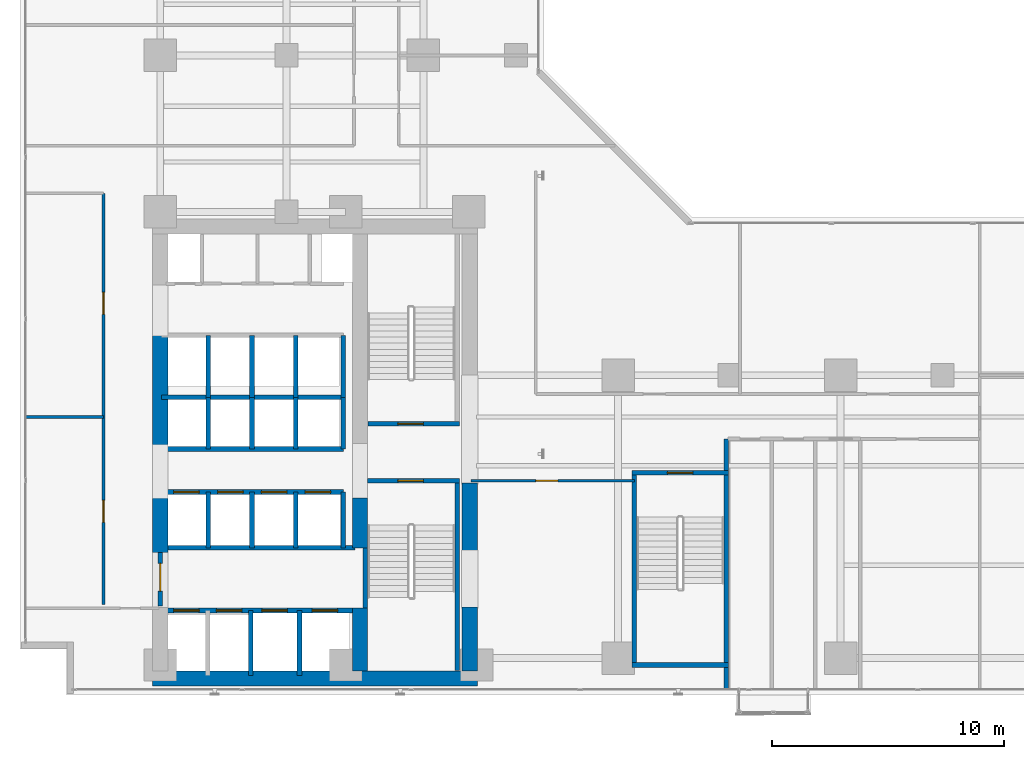
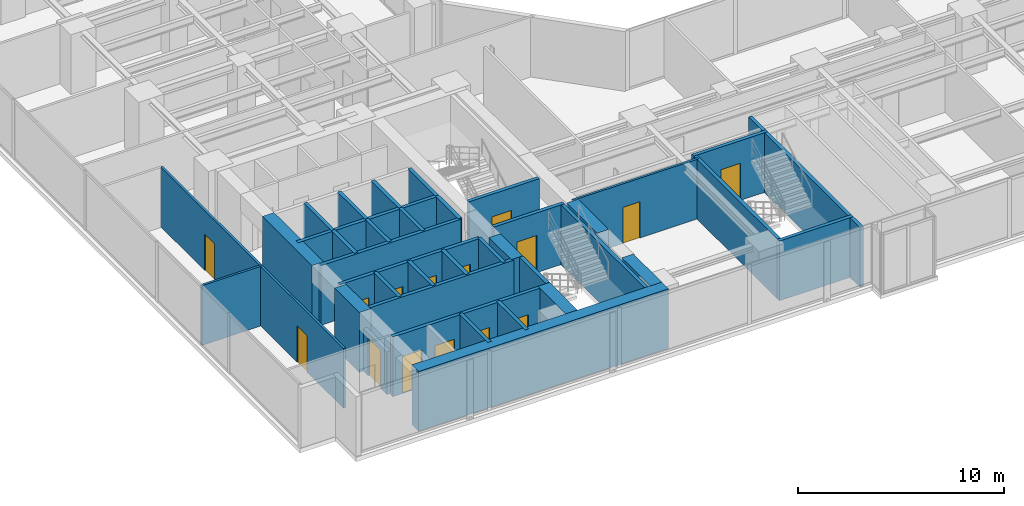
# One storey, part 21 of 26: 38 walls, 15 doors, 15 openings.
"""IFC4 building model written with IfcOpenShell, lengths in metres."""

from ifc_helpers import new_model, si_unit, direction, frame, frame_2d, origin, place, context, subcontext, project, spatial, rectangle, extrude, material, layer, layer_set, type_object, element, fill, save


model = new_model("IFC4")

# Units and contexts
model_context = context("Model", 3, precision=1e-05, world=origin(), true_north=direction((0.0, 1.0)))
body_context = subcontext(model_context, "Body", "Model", "MODEL_VIEW")
ifc_project = project(units=[si_unit("LENGTHUNIT", "METRE"), si_unit("AREAUNIT", "SQUARE_METRE"), si_unit("VOLUMEUNIT", "CUBIC_METRE"), si_unit("PLANEANGLEUNIT", "RADIAN"), si_unit("MASSUNIT", "GRAM", prefix="KILO")], contexts=[model_context])

# Site, building, storey
site_placement = place(None, origin())
site = spatial("IfcSite", under=ifc_project, at=site_placement, CompositionType="ELEMENT")
building_placement = place(site_placement, origin())
building = spatial("IfcBuilding", under=site, at=building_placement, Name="Kolvaren Waterfront Exchange", CompositionType="ELEMENT")
storey_placement = place(building_placement, frame((0.0, 0.0, 99.300048828125)))
storey = spatial("IfcBuildingStorey", under=building, at=storey_placement, Name="L25", CompositionType="ELEMENT", Elevation=99.300048828125)

# Wall, opening, door
ifc_material_1 = material(Name="Precast concrete C40/50", Category="concrete")
ifc_layer_1 = layer(ifc_material_1, 0.199951171875, Name="Precast concrete C40/50")
ifc_layer_set_1 = layer_set([ifc_layer_1], Name="Precast concrete C40/50")
wall_type_1 = type_object("IfcWallType", Name="ARC-FIRE-200", PredefinedType="PARTITIONING", material=ifc_layer_set_1)
wall_1_placement = place(storey_placement, frame((16.39990234375, 12.85009765625, 0.0), z_axis=(0.0, 0.0, 1.0), x_axis=(1.0, 0.0, 0.0)))
wall_1 = element("IfcWall", 1, at=wall_1_placement, inside=storey, type_object=wall_type_1, Name="L25 interior wall PW-L25-ST1-THROAT-S", PredefinedType="PARTITIONING", context=body_context, shape_type="SweptSolid", body=[
    extrude(rectangle(XDim=3.960205078125, YDim=0.199951171875, at=frame_2d((1.97998046875, 0.0))), origin(), (0.0, 0.0, 1.0), 3.5400390625),
])
opening_1_placement = place(wall_1_placement, frame((1.3037109375, 0.0, 0.0)))
opening_1 = element("IfcOpeningElement", 2, at=opening_1_placement, cuts=wall_1, Name="Opening FD2", PredefinedType="OPENING", context=body_context, shape_type="SweptSolid", body=[
    extrude(rectangle(XDim=1.10009765625, YDim=2.199951171875, at=frame_2d((0.550048828125, 1.10009765625))), frame((0.0, 0.10986328125, 0.0), z_axis=(0.0, -1.0, 0.0), x_axis=(1.0, 0.0, 0.0)), (0.0, 0.0, 1.0), 0.219970703125),
])
ifc_material_2 = material(Name="Pressed steel smoke-seal fire door", Category="steel")
door_type_1 = type_object("IfcDoorType", Name="ARC-FD-1100", OperationType="NOTDEFINED", PredefinedType="DOOR", material=ifc_material_2)
door_1_placement = place(opening_1_placement, frame((1.10009765625, 0.0, 0.0), z_axis=(0.0, 0.0, 1.0), x_axis=(-1.0, 0.0, 0.0)))
door_1 = element("IfcDoor", 3, at=door_1_placement, inside=storey, type_object=door_type_1, Name="L25 door DR-L25-ST1-IN (FD2)", OperationType="SINGLE_SWING_LEFT", OverallHeight=2.199951171875, OverallWidth=1.10009765625, PredefinedType="DOOR", context=body_context, shape_type="SweptSolid", body=[
    extrude(rectangle(XDim=1.10009765625, YDim=2.199951171875, at=frame_2d((0.550048828125, 1.10009765625))), frame((0.0, 0.02490234375, 0.0), z_axis=(0.0, -1.0, 0.0), x_axis=(1.0, 0.0, 0.0)), (0.0, 0.0, 1.0), 0.050048828125),
])
fill(opening_1, door_1)

wall_2_placement = place(storey_placement, frame((16.409912109375, 15.300048828125, 0.0), z_axis=(0.0, 0.0, 1.0), x_axis=(1.0, 0.0, 0.0)))
wall_2 = element("IfcWall", 4, at=wall_2_placement, inside=storey, type_object=wall_type_1, Name="L25 interior wall PW-L25-ST2-THROAT-N", PredefinedType="PARTITIONING", context=body_context, shape_type="SweptSolid", body=[
    extrude(rectangle(XDim=3.9501953125, YDim=0.199951171875, at=frame_2d((1.97509765625, 0.0))), origin(), (0.0, 0.0, 1.0), 3.5400390625),
])
opening_2_placement = place(wall_2_placement, frame((1.293701171875, 0.0, 0.0)))
opening_2 = element("IfcOpeningElement", 5, at=opening_2_placement, cuts=wall_2, Name="Opening FD2", PredefinedType="OPENING", context=body_context, shape_type="SweptSolid", body=[
    extrude(rectangle(XDim=1.10009765625, YDim=2.199951171875, at=frame_2d((0.550048828125, 1.10009765625))), frame((0.0, 0.10986328125, 0.0), z_axis=(0.0, -1.0, 0.0), x_axis=(1.0, 0.0, 0.0)), (0.0, 0.0, 1.0), 0.219970703125),
])
door_2_placement = place(opening_2_placement, origin())
door_2 = element("IfcDoor", 6, at=door_2_placement, inside=storey, type_object=door_type_1, Name="L25 door DR-L25-ST2-IN (FD2)", OperationType="SINGLE_SWING_RIGHT", OverallHeight=2.199951171875, OverallWidth=1.10009765625, PredefinedType="DOOR", context=body_context, shape_type="SweptSolid", body=[
    extrude(rectangle(XDim=1.10009765625, YDim=2.199951171875, at=frame_2d((0.550048828125, 1.10009765625))), frame((0.0, 0.02490234375, 0.0), z_axis=(0.0, -1.0, 0.0), x_axis=(1.0, 0.0, 0.0)), (0.0, 0.0, 1.0), 0.050048828125),
])
fill(opening_2, door_2)

# Wall
wall_3_placement = place(storey_placement, frame((7.5, 9.949951171875, 0.0), z_axis=(0.0, 0.0, 1.0), x_axis=(1.0, 0.0, 0.0)))
element("IfcWall", 7, at=wall_3_placement, inside=storey, type_object=wall_type_1, Name="L25 interior wall PW-L25-FF-N", PredefinedType="PARTITIONING", context=body_context, shape_type="SweptSolid", body=[
    extrude(rectangle(XDim=8.35009765625, YDim=0.199951171875, at=frame_2d((4.175048828125, 0.0))), origin(), (0.0, 0.0, 1.0), 3.5400390625),
])

# Wall, opening, door
wall_4_placement = place(storey_placement, frame((7.449951171875, 7.449951171875, 0.0), z_axis=(0.0, 0.0, 1.0), x_axis=(0.0, 1.0, 0.0)))
wall_4 = element("IfcWall", 8, at=wall_4_placement, inside=storey, type_object=wall_type_1, Name="L25 interior wall PW-L25-FF-W-DOOR", PredefinedType="PARTITIONING", context=body_context, shape_type="SweptSolid", body=[
    extrude(rectangle(XDim=2.300048828125, YDim=0.199951171875, at=frame_2d((1.14990234375, 0.0))), origin(), (0.0, 0.0, 1.0), 2.52001953125),
])
opening_3_placement = place(wall_4_placement, frame((0.63330078125, 0.0, 0.0)))
opening_3 = element("IfcOpeningElement", 9, at=opening_3_placement, cuts=wall_4, Name="Opening FD3", PredefinedType="OPENING", context=body_context, shape_type="SweptSolid", body=[
    extrude(rectangle(XDim=1.199951171875, YDim=2.25, at=frame_2d((0.60009765625, 1.125))), frame((0.0, 0.10986328125, 0.0), z_axis=(0.0, -1.0, 0.0), x_axis=(1.0, 0.0, 0.0)), (0.0, 0.0, 1.0), 0.219970703125),
])
ifc_material_3 = material(Name="Pressed steel fire door", Category="steel")
door_type_2 = type_object("IfcDoorType", Name="ARC-FD-1200", OperationType="NOTDEFINED", PredefinedType="DOOR", material=ifc_material_3)
door_3_placement = place(opening_3_placement, frame((1.199951171875, 0.0, 0.0), z_axis=(0.0, 0.0, 1.0), x_axis=(-1.0, 0.0, 0.0)))
door_3 = element("IfcDoor", 10, at=door_3_placement, inside=storey, type_object=door_type_2, Name="L25 door DR-L25-FF-OUT (FD3)", OperationType="SINGLE_SWING_RIGHT", OverallHeight=2.25, OverallWidth=1.199951171875, PredefinedType="DOOR", context=body_context, shape_type="SweptSolid", body=[
    extrude(rectangle(XDim=1.199951171875, YDim=2.25, at=frame_2d((0.60009765625, 1.125))), frame((0.0, 0.02490234375, 0.0), z_axis=(0.0, -1.0, 0.0), x_axis=(1.0, 0.0, 0.0)), (0.0, 0.0, 1.0), 0.050048828125),
])
fill(opening_3, door_3)

# Wall, openings, doors
ifc_material_4 = material(Name="Acoustic gypsum steel stud", Category="steel")
ifc_layer_2 = layer(ifc_material_4, 0.125, Name="Acoustic gypsum steel stud")
ifc_layer_set_2 = layer_set([ifc_layer_2], Name="Acoustic gypsum steel stud")
wall_type_2 = type_object("IfcWallType", Name="ARC-PART-125", PredefinedType="PARTITIONING", material=ifc_layer_set_2)
wall_5_placement = place(storey_placement, frame((5.0, 7.5, 0.0), z_axis=(0.0, 0.0, 1.0), x_axis=(0.0, 1.0, 0.0)))
wall_5 = element("IfcWall", 11, at=wall_5_placement, inside=storey, type_object=wall_type_2, Name="L25 interior wall PW-L25-WFLANK-E", PredefinedType="PARTITIONING", context=body_context, shape_type="SweptSolid", body=[
    extrude(rectangle(XDim=17.75, YDim=0.125, at=frame_2d((8.875, 0.0))), origin(), (0.0, 0.0, 1.0), 3.5400390625),
])
opening_4_placement = place(wall_5_placement, frame((3.550048828125, 0.0, 0.0)))
opening_4 = element("IfcOpeningElement", 12, at=opening_4_placement, cuts=wall_5, Name="Opening D02", PredefinedType="OPENING", context=body_context, shape_type="SweptSolid", body=[
    extrude(rectangle(XDim=0.949951171875, YDim=2.14990234375, at=frame_2d((0.47509765625, 1.074951171875))), frame((0.0, 0.072509765625, 0.0), z_axis=(0.0, -1.0, 0.0), x_axis=(1.0, 0.0, 0.0)), (0.0, 0.0, 1.0), 0.14501953125),
])
opening_5_placement = place(wall_5_placement, frame((12.52099609375, 0.0, 0.0)))
opening_5 = element("IfcOpeningElement", 13, at=opening_5_placement, cuts=wall_5, Name="Opening D02", PredefinedType="OPENING", context=body_context, shape_type="SweptSolid", body=[
    extrude(rectangle(XDim=0.949951171875, YDim=2.14990234375, at=frame_2d((0.47509765625, 1.074951171875))), frame((0.0, 0.072509765625, 0.0), z_axis=(0.0, -1.0, 0.0), x_axis=(1.0, 0.0, 0.0)), (0.0, 0.0, 1.0), 0.14501953125),
])
ifc_material_5 = material(Name="Oak veneer acoustic timber", Category="wood")
door_type_3 = type_object("IfcDoorType", Name="ARC-DR-950", OperationType="NOTDEFINED", PredefinedType="DOOR", material=ifc_material_5)
door_4_placement = place(opening_4_placement, origin())
door_4 = element("IfcDoor", 14, at=door_4_placement, inside=storey, type_object=door_type_3, Name="L25 door DR-L25-WFL1-D (D02)", OperationType="SINGLE_SWING_RIGHT", OverallHeight=2.14990234375, OverallWidth=0.949951171875, PredefinedType="DOOR", context=body_context, shape_type="SweptSolid", body=[
    extrude(rectangle(XDim=0.949951171875, YDim=2.14990234375, at=frame_2d((0.47509765625, 1.074951171875))), frame((0.0, 0.02490234375, 0.0), z_axis=(0.0, -1.0, 0.0), x_axis=(1.0, 0.0, 0.0)), (0.0, 0.0, 1.0), 0.050048828125),
])
fill(opening_4, door_4)
door_5_placement = place(opening_5_placement, origin())
door_5 = element("IfcDoor", 15, at=door_5_placement, inside=storey, type_object=door_type_3, Name="L25 door DR-L25-WFL2-D (D02)", OperationType="SINGLE_SWING_LEFT", OverallHeight=2.14990234375, OverallWidth=0.949951171875, PredefinedType="DOOR", context=body_context, shape_type="SweptSolid", body=[
    extrude(rectangle(XDim=0.949951171875, YDim=2.14990234375, at=frame_2d((0.47509765625, 1.074951171875))), frame((0.0, 0.02490234375, 0.0), z_axis=(0.0, -1.0, 0.0), x_axis=(1.0, 0.0, 0.0)), (0.0, 0.0, 1.0), 0.050048828125),
])
fill(opening_5, door_5)

# Wall
wall_6_placement = place(storey_placement, frame((1.639892578125, 15.60009765625, 0.0), z_axis=(0.0, 0.0, 1.0), x_axis=(1.0, 0.0, 0.0)))
element("IfcWall", 16, at=wall_6_placement, inside=storey, type_object=wall_type_2, Name="L25 interior wall PW-L25-WFLANK-MID", PredefinedType="PARTITIONING", context=body_context, shape_type="SweptSolid", body=[
    extrude(rectangle(XDim=3.360107421875, YDim=0.125, at=frame_2d((1.68017578125, 0.0))), origin(), (0.0, 0.0, 1.0), 3.5400390625),
])

# Wall, opening, door
wall_7_placement = place(storey_placement, frame((20.85009765625, 12.85009765625, 0.0), z_axis=(0.0, 0.0, 1.0), x_axis=(1.0, 0.0, 0.0)))
wall_7 = element("IfcWall", 17, at=wall_7_placement, inside=storey, type_object=wall_type_2, Name="L25 interior wall PW-L25-SWST3-N", PredefinedType="PARTITIONING", context=body_context, shape_type="SweptSolid", body=[
    extrude(rectangle(XDim=7.0498046875, YDim=0.125, at=frame_2d((3.52490234375, 0.0))), origin(), (0.0, 0.0, 1.0), 3.5400390625),
])
opening_6_placement = place(wall_7_placement, frame((2.800048828125, 0.0, 0.0)))
opening_6 = element("IfcOpeningElement", 18, at=opening_6_placement, cuts=wall_7, Name="Opening D02", PredefinedType="OPENING", context=body_context, shape_type="SweptSolid", body=[
    extrude(rectangle(XDim=0.949951171875, YDim=2.14990234375, at=frame_2d((0.47509765625, 1.074951171875))), frame((0.0, 0.072509765625, 0.0), z_axis=(0.0, -1.0, 0.0), x_axis=(1.0, 0.0, 0.0)), (0.0, 0.0, 1.0), 0.14501953125),
])
door_6_placement = place(opening_6_placement, origin())
door_6 = element("IfcDoor", 19, at=door_6_placement, inside=storey, type_object=door_type_3, Name="L25 door DR-L25-SWST3-D (D02)", OperationType="SINGLE_SWING_RIGHT", OverallHeight=2.14990234375, OverallWidth=0.949951171875, PredefinedType="DOOR", context=body_context, shape_type="SweptSolid", body=[
    extrude(rectangle(XDim=0.949951171875, YDim=2.14990234375, at=frame_2d((0.47509765625, 1.074951171875))), frame((0.0, 0.02490234375, 0.0), z_axis=(0.0, -1.0, 0.0), x_axis=(1.0, 0.0, 0.0)), (0.0, 0.0, 1.0), 0.050048828125),
])
fill(opening_6, door_6)

# Walls
ifc_material_6 = material(Name="Concrete C40/50", Category="concrete")
ifc_layer_3 = layer(ifc_material_6, 0.199951171875, Name="Concrete C40/50")
ifc_layer_set_3 = layer_set([ifc_layer_3], Name="Concrete C40/50")
wall_type_3 = type_object("IfcWallType", Name="ARC-SHAFT-200", PredefinedType="PARTITIONING", material=ifc_layer_set_3)
wall_8_placement = place(storey_placement, frame((16.300048828125, 7.360107421875, 0.0), z_axis=(0.0, 0.0, 1.0), x_axis=(0.0, 1.0, 0.0)))
element("IfcWall", 20, at=wall_8_placement, inside=storey, type_object=wall_type_3, Name="L25 structural stairwell wall PW-L25-ST1-W", PredefinedType="SHEAR", context=body_context, shape_type="SweptSolid", body=[
    extrude(rectangle(XDim=2.579833984375, YDim=0.199951171875, at=frame_2d((1.2900390625, 0.0))), origin(), (0.0, 0.0, 1.0), 3.5400390625),
])
wall_9_placement = place(storey_placement, frame((20.260009765625, 4.659912109375, 0.0), z_axis=(0.0, 0.0, 1.0), x_axis=(0.0, 1.0, 0.0)))
element("IfcWall", 21, at=wall_9_placement, inside=storey, type_object=wall_type_3, Name="L25 structural stairwell wall PW-L25-ST1-E", PredefinedType="SHEAR", context=body_context, shape_type="SweptSolid", body=[
    extrude(rectangle(XDim=8.090087890625, YDim=0.199951171875, at=frame_2d((4.044921875, 0.0))), origin(), (0.0, 0.0, 1.0), 3.5400390625),
])
wall_10_placement = place(storey_placement, frame((27.89990234375, 5.0, 0.0), z_axis=(0.0, 0.0, 1.0), x_axis=(0.0, 1.0, 0.0)))
element("IfcWall", 22, at=wall_10_placement, inside=storey, type_object=wall_type_3, Name="L25 structural stairwell wall PW-L25-ST3-W", PredefinedType="SHEAR", context=body_context, shape_type="SweptSolid", body=[
    extrude(rectangle(XDim=8.10009765625, YDim=0.199951171875, at=frame_2d((4.050048828125, 0.0))), origin(), (0.0, 0.0, 1.0), 3.5400390625),
])
wall_11_placement = place(storey_placement, frame((31.860107421875, 3.840087890625, 0.0), z_axis=(0.0, 0.0, 1.0), x_axis=(0.0, 1.0, 0.0)))
element("IfcWall", 23, at=wall_11_placement, inside=storey, type_object=wall_type_3, Name="L25 structural stairwell wall PW-L25-ST3-E", PredefinedType="SHEAR", context=body_context, shape_type="SweptSolid", body=[
    extrude(rectangle(XDim=10.809814453125, YDim=0.199951171875, at=frame_2d((5.40478515625, 0.0))), origin(), (0.0, 0.0, 1.0), 3.5400390625),
])
wall_12_placement = place(storey_placement, frame((27.800048828125, 4.89990234375, 0.0), z_axis=(0.0, 0.0, 1.0), x_axis=(1.0, 0.0, 0.0)))
element("IfcWall", 24, at=wall_12_placement, inside=storey, type_object=wall_type_3, Name="L25 structural stairwell wall PW-L25-ST3-S", PredefinedType="SHEAR", context=body_context, shape_type="SweptSolid", body=[
    extrude(rectangle(XDim=4.159912109375, YDim=0.199951171875, at=frame_2d((2.080078125, 0.0))), origin(), (0.0, 0.0, 1.0), 3.5400390625),
])

# Wall, opening, door
wall_13_placement = place(storey_placement, frame((27.800048828125, 13.199951171875, 0.0), z_axis=(0.0, 0.0, 1.0), x_axis=(1.0, 0.0, 0.0)))
wall_13 = element("IfcWall", 25, at=wall_13_placement, inside=storey, type_object=wall_type_3, Name="L25 structural stairwell wall PW-L25-ST3-N", PredefinedType="SHEAR", context=body_context, shape_type="SweptSolid", body=[
    extrude(rectangle(XDim=4.159912109375, YDim=0.199951171875, at=frame_2d((2.080078125, 0.0))), origin(), (0.0, 0.0, 1.0), 3.5400390625),
])
opening_7_placement = place(wall_13_placement, frame((1.530029296875, 0.0, 0.0)))
opening_7 = element("IfcOpeningElement", 26, at=opening_7_placement, cuts=wall_13, Name="Opening FD2", PredefinedType="OPENING", context=body_context, shape_type="SweptSolid", body=[
    extrude(rectangle(XDim=1.10009765625, YDim=2.199951171875, at=frame_2d((0.550048828125, 1.10009765625))), frame((0.0, 0.10986328125, 0.0), z_axis=(0.0, -1.0, 0.0), x_axis=(1.0, 0.0, 0.0)), (0.0, 0.0, 1.0), 0.219970703125),
])
door_7_placement = place(opening_7_placement, frame((1.10009765625, 0.0, 0.0), z_axis=(0.0, 0.0, 1.0), x_axis=(-1.0, 0.0, 0.0)))
door_7 = element("IfcDoor", 27, at=door_7_placement, inside=storey, type_object=door_type_1, Name="L25 door DR-L25-ST3-IN (FD2)", OperationType="SINGLE_SWING_LEFT", OverallHeight=2.199951171875, OverallWidth=1.10009765625, PredefinedType="DOOR", context=body_context, shape_type="SweptSolid", body=[
    extrude(rectangle(XDim=1.10009765625, YDim=2.199951171875, at=frame_2d((0.550048828125, 1.10009765625))), frame((0.0, 0.02490234375, 0.0), z_axis=(0.0, -1.0, 0.0), x_axis=(1.0, 0.0, 0.0)), (0.0, 0.0, 1.0), 0.050048828125),
])
fill(opening_7, door_7)

# Wall, openings, doors
wall_14_placement = place(storey_placement, frame((7.5, 7.25, 0.0), z_axis=(0.0, 0.0, 1.0), x_axis=(1.0, 0.0, 0.0)))
wall_14 = element("IfcWall", 28, at=wall_14_placement, inside=storey, type_object=wall_type_3, Name="L25 interior wall PW-L25-FF-S", PredefinedType="PARTITIONING", context=body_context, shape_type="SweptSolid", body=[
    extrude(rectangle(XDim=8.35009765625, YDim=0.199951171875, at=frame_2d((4.175048828125, 0.0))), origin(), (0.0, 0.0, 1.0), 3.5400390625),
])
opening_8_placement = place(wall_14_placement, frame((0.530029296875, 0.0, 0.0)))
opening_8 = element("IfcOpeningElement", 29, at=opening_8_placement, cuts=wall_14, Name="Opening LD1", PredefinedType="OPENING", context=body_context, shape_type="SweptSolid", body=[
    extrude(rectangle(XDim=1.10009765625, YDim=2.199951171875, at=frame_2d((0.550048828125, 1.10009765625))), frame((0.0, 0.10986328125, 0.0), z_axis=(0.0, -1.0, 0.0), x_axis=(1.0, 0.0, 0.0)), (0.0, 0.0, 1.0), 0.219970703125),
])
opening_9_placement = place(wall_14_placement, frame((2.3701171875, 0.0, 0.0)))
opening_9 = element("IfcOpeningElement", 30, at=opening_9_placement, cuts=wall_14, Name="Opening LD1", PredefinedType="OPENING", context=body_context, shape_type="SweptSolid", body=[
    extrude(rectangle(XDim=1.10009765625, YDim=2.199951171875, at=frame_2d((0.550048828125, 1.10009765625))), frame((0.0, 0.10986328125, 0.0), z_axis=(0.0, -1.0, 0.0), x_axis=(1.0, 0.0, 0.0)), (0.0, 0.0, 1.0), 0.219970703125),
])
opening_10_placement = place(wall_14_placement, frame((4.330078125, 0.0, 0.0)))
opening_10 = element("IfcOpeningElement", 31, at=opening_10_placement, cuts=wall_14, Name="Opening LD1", PredefinedType="OPENING", context=body_context, shape_type="SweptSolid", body=[
    extrude(rectangle(XDim=1.10009765625, YDim=2.199951171875, at=frame_2d((0.550048828125, 1.10009765625))), frame((0.0, 0.10986328125, 0.0), z_axis=(0.0, -1.0, 0.0), x_axis=(1.0, 0.0, 0.0)), (0.0, 0.0, 1.0), 0.219970703125),
])
opening_11_placement = place(wall_14_placement, frame((6.5, 0.0, 0.0)))
opening_11 = element("IfcOpeningElement", 32, at=opening_11_placement, cuts=wall_14, Name="Opening LD1", PredefinedType="OPENING", context=body_context, shape_type="SweptSolid", body=[
    extrude(rectangle(XDim=1.10009765625, YDim=2.199951171875, at=frame_2d((0.550048828125, 1.10009765625))), frame((0.0, 0.10986328125, 0.0), z_axis=(0.0, -1.0, 0.0), x_axis=(1.0, 0.0, 0.0)), (0.0, 0.0, 1.0), 0.219970703125),
])
ifc_material_7 = material(Name="Stainless steel sliding landing door", Category="steel")
door_type_4 = type_object("IfcDoorType", Name="ARC-LD-FF", OperationType="SLIDING_TO_LEFT", PredefinedType="DOOR", material=ifc_material_7)
door_8_placement = place(opening_8_placement, origin())
door_8 = element("IfcDoor", 33, at=door_8_placement, inside=storey, type_object=door_type_4, Name="L25 door LD-L25-FFL1 (LD1)", OperationType="SLIDING_TO_LEFT", OverallHeight=2.199951171875, OverallWidth=1.10009765625, PredefinedType="DOOR", context=body_context, shape_type="SweptSolid", body=[
    extrude(rectangle(XDim=1.10009765625, YDim=2.199951171875, at=frame_2d((0.550048828125, 1.10009765625))), frame((0.0, 0.02490234375, 0.0), z_axis=(0.0, -1.0, 0.0), x_axis=(1.0, 0.0, 0.0)), (0.0, 0.0, 1.0), 0.050048828125),
])
fill(opening_8, door_8)
door_9_placement = place(opening_9_placement, origin())
door_9 = element("IfcDoor", 34, at=door_9_placement, inside=storey, type_object=door_type_4, Name="L25 door LD-L25-FFL2 (LD1)", OperationType="SLIDING_TO_LEFT", OverallHeight=2.199951171875, OverallWidth=1.10009765625, PredefinedType="DOOR", context=body_context, shape_type="SweptSolid", body=[
    extrude(rectangle(XDim=1.10009765625, YDim=2.199951171875, at=frame_2d((0.550048828125, 1.10009765625))), frame((0.0, 0.02490234375, 0.0), z_axis=(0.0, -1.0, 0.0), x_axis=(1.0, 0.0, 0.0)), (0.0, 0.0, 1.0), 0.050048828125),
])
fill(opening_9, door_9)
door_10_placement = place(opening_10_placement, origin())
door_10 = element("IfcDoor", 35, at=door_10_placement, inside=storey, type_object=door_type_4, Name="L25 door LD-L25-GL1 (LD1)", OperationType="SLIDING_TO_LEFT", OverallHeight=2.199951171875, OverallWidth=1.10009765625, PredefinedType="DOOR", context=body_context, shape_type="SweptSolid", body=[
    extrude(rectangle(XDim=1.10009765625, YDim=2.199951171875, at=frame_2d((0.550048828125, 1.10009765625))), frame((0.0, 0.02490234375, 0.0), z_axis=(0.0, -1.0, 0.0), x_axis=(1.0, 0.0, 0.0)), (0.0, 0.0, 1.0), 0.050048828125),
])
fill(opening_10, door_10)
door_11_placement = place(opening_11_placement, origin())
door_11 = element("IfcDoor", 36, at=door_11_placement, inside=storey, type_object=door_type_4, Name="L25 door LD-L25-GL2 (LD1)", OperationType="SLIDING_TO_LEFT", OverallHeight=2.199951171875, OverallWidth=1.10009765625, PredefinedType="DOOR", context=body_context, shape_type="SweptSolid", body=[
    extrude(rectangle(XDim=1.10009765625, YDim=2.199951171875, at=frame_2d((0.550048828125, 1.10009765625))), frame((0.0, 0.02490234375, 0.0), z_axis=(0.0, -1.0, 0.0), x_axis=(1.0, 0.0, 0.0)), (0.0, 0.0, 1.0), 0.050048828125),
])
fill(opening_11, door_11)

# Walls
for number, where, z_axis, x_axis, name in (
    (37, (11.360107421875, 4.449951171875, 0.0), (0.0, 0.0, 1.0), (0.0, 1.0, 0.0), "L25 interior wall PW-L25-SH1-DIV-113"),
    (38, (13.4599609375, 4.449951171875, 0.0), (0.0, 0.0, 1.0), (0.0, 1.0, 0.0), "L25 interior wall PW-L25-SH1-DIV-134"),
):
    element("IfcWall", number, at=place(storey_placement, frame(where, z_axis=z_axis, x_axis=x_axis)), inside=storey, type_object=wall_type_3, Name=name, PredefinedType="PARTITIONING", context=body_context, shape_type="SweptSolid", body=[
        extrude(rectangle(XDim=2.800048828125, YDim=0.199951171875, at=frame_2d((1.39990234375, 0.0))), origin(), (0.0, 0.0, 1.0), 3.5400390625),
    ])

# Wall, openings, doors
wall_15_placement = place(storey_placement, frame((7.5, 12.360107421875, 0.0), z_axis=(0.0, 0.0, 1.0), x_axis=(1.0, 0.0, 0.0)))
wall_15 = element("IfcWall", 39, at=wall_15_placement, inside=storey, type_object=wall_type_3, Name="L25 interior wall PW-L25-PL-N", PredefinedType="PARTITIONING", context=body_context, shape_type="SweptSolid", body=[
    extrude(rectangle(XDim=7.85009765625, YDim=0.199951171875, at=frame_2d((3.925048828125, 0.0))), origin(), (0.0, 0.0, 1.0), 3.5400390625),
])
opening_12_placement = place(wall_15_placement, frame((0.530029296875, 0.0, 0.0)))
opening_12 = element("IfcOpeningElement", 40, at=opening_12_placement, cuts=wall_15, Name="Opening LD2", PredefinedType="OPENING", context=body_context, shape_type="SweptSolid", body=[
    extrude(rectangle(XDim=1.10009765625, YDim=2.199951171875, at=frame_2d((0.550048828125, 1.10009765625))), frame((0.0, 0.10986328125, 0.0), z_axis=(0.0, -1.0, 0.0), x_axis=(1.0, 0.0, 0.0)), (0.0, 0.0, 1.0), 0.219970703125),
])
opening_13_placement = place(wall_15_placement, frame((2.419921875, 0.0, 0.0)))
opening_13 = element("IfcOpeningElement", 41, at=opening_13_placement, cuts=wall_15, Name="Opening LD2", PredefinedType="OPENING", context=body_context, shape_type="SweptSolid", body=[
    extrude(rectangle(XDim=1.10009765625, YDim=2.199951171875, at=frame_2d((0.550048828125, 1.10009765625))), frame((0.0, 0.10986328125, 0.0), z_axis=(0.0, -1.0, 0.0), x_axis=(1.0, 0.0, 0.0)), (0.0, 0.0, 1.0), 0.219970703125),
])
opening_14_placement = place(wall_15_placement, frame((4.31005859375, 0.0, 0.0)))
opening_14 = element("IfcOpeningElement", 42, at=opening_14_placement, cuts=wall_15, Name="Opening LD2", PredefinedType="OPENING", context=body_context, shape_type="SweptSolid", body=[
    extrude(rectangle(XDim=1.10009765625, YDim=2.199951171875, at=frame_2d((0.550048828125, 1.10009765625))), frame((0.0, 0.10986328125, 0.0), z_axis=(0.0, -1.0, 0.0), x_axis=(1.0, 0.0, 0.0)), (0.0, 0.0, 1.0), 0.219970703125),
])
opening_15_placement = place(wall_15_placement, frame((6.199951171875, 0.0, 0.0)))
opening_15 = element("IfcOpeningElement", 43, at=opening_15_placement, cuts=wall_15, Name="Opening LD2", PredefinedType="OPENING", context=body_context, shape_type="SweptSolid", body=[
    extrude(rectangle(XDim=1.10009765625, YDim=2.199951171875, at=frame_2d((0.550048828125, 1.10009765625))), frame((0.0, 0.10986328125, 0.0), z_axis=(0.0, -1.0, 0.0), x_axis=(1.0, 0.0, 0.0)), (0.0, 0.0, 1.0), 0.219970703125),
])
ifc_material_8 = material(Name="Brushed bronze sliding landing door", Category="aluminium")
door_type_5 = type_object("IfcDoorType", Name="ARC-LD-PAX", OperationType="SLIDING_TO_LEFT", PredefinedType="DOOR", material=ifc_material_8)
door_12_placement = place(opening_12_placement, origin())
door_12 = element("IfcDoor", 44, at=door_12_placement, inside=storey, type_object=door_type_5, Name="L25 door LD-L25-PL1 (LD2)", OperationType="SLIDING_TO_LEFT", OverallHeight=2.199951171875, OverallWidth=1.10009765625, PredefinedType="DOOR", context=body_context, shape_type="SweptSolid", body=[
    extrude(rectangle(XDim=1.10009765625, YDim=2.199951171875, at=frame_2d((0.550048828125, 1.10009765625))), frame((0.0, 0.02490234375, 0.0), z_axis=(0.0, -1.0, 0.0), x_axis=(1.0, 0.0, 0.0)), (0.0, 0.0, 1.0), 0.050048828125),
])
fill(opening_12, door_12)
door_13_placement = place(opening_13_placement, origin())
door_13 = element("IfcDoor", 45, at=door_13_placement, inside=storey, type_object=door_type_5, Name="L25 door LD-L25-PL2 (LD2)", OperationType="SLIDING_TO_LEFT", OverallHeight=2.199951171875, OverallWidth=1.10009765625, PredefinedType="DOOR", context=body_context, shape_type="SweptSolid", body=[
    extrude(rectangle(XDim=1.10009765625, YDim=2.199951171875, at=frame_2d((0.550048828125, 1.10009765625))), frame((0.0, 0.02490234375, 0.0), z_axis=(0.0, -1.0, 0.0), x_axis=(1.0, 0.0, 0.0)), (0.0, 0.0, 1.0), 0.050048828125),
])
fill(opening_13, door_13)
door_14_placement = place(opening_14_placement, origin())
door_14 = element("IfcDoor", 46, at=door_14_placement, inside=storey, type_object=door_type_5, Name="L25 door LD-L25-PL3 (LD2)", OperationType="SLIDING_TO_LEFT", OverallHeight=2.199951171875, OverallWidth=1.10009765625, PredefinedType="DOOR", context=body_context, shape_type="SweptSolid", body=[
    extrude(rectangle(XDim=1.10009765625, YDim=2.199951171875, at=frame_2d((0.550048828125, 1.10009765625))), frame((0.0, 0.02490234375, 0.0), z_axis=(0.0, -1.0, 0.0), x_axis=(1.0, 0.0, 0.0)), (0.0, 0.0, 1.0), 0.050048828125),
])
fill(opening_14, door_14)
door_15_placement = place(opening_15_placement, origin())
door_15 = element("IfcDoor", 47, at=door_15_placement, inside=storey, type_object=door_type_5, Name="L25 door LD-L25-PL4 (LD2)", OperationType="SLIDING_TO_LEFT", OverallHeight=2.199951171875, OverallWidth=1.10009765625, PredefinedType="DOOR", context=body_context, shape_type="SweptSolid", body=[
    extrude(rectangle(XDim=1.10009765625, YDim=2.199951171875, at=frame_2d((0.550048828125, 1.10009765625))), frame((0.0, 0.02490234375, 0.0), z_axis=(0.0, -1.0, 0.0), x_axis=(1.0, 0.0, 0.0)), (0.0, 0.0, 1.0), 0.050048828125),
])
fill(opening_15, door_15)

# Walls
for number, where, z_axis, x_axis, name in (
    (48, (15.35009765625, 9.949951171875, 0.0), (0.0, 0.0, 1.0), (0.0, 1.0, 0.0), "L25 interior wall PW-L25-PL-E"),
    (49, (9.52001953125, 9.949951171875, 0.0), (0.0, 0.0, 1.0), (0.0, 1.0, 0.0), "L25 interior wall PW-L25-SH2-DIV-95"),
    (50, (11.409912109375, 9.949951171875, 0.0), (0.0, 0.0, 1.0), (0.0, 1.0, 0.0), "L25 interior wall PW-L25-SH2-DIV-114"),
    (51, (13.300048828125, 9.949951171875, 0.0), (0.0, 0.0, 1.0), (0.0, 1.0, 0.0), "L25 interior wall PW-L25-SH2-DIV-133"),
):
    element("IfcWall", number, at=place(storey_placement, frame(where, z_axis=z_axis, x_axis=x_axis)), inside=storey, type_object=wall_type_3, Name=name, PredefinedType="PARTITIONING", context=body_context, shape_type="SweptSolid", body=[
        extrude(rectangle(XDim=2.41015625, YDim=0.199951171875, at=frame_2d((1.205078125, 0.0))), origin(), (0.0, 0.0, 1.0), 3.5400390625),
    ])
for number, where, z_axis, x_axis, name in (
    (52, (7.5, 14.219970703125, 0.0), (0.0, 0.0, 1.0), (1.0, 0.0, 0.0), "L25 interior wall PW-L25-PM-S"),
    (53, (7.5, 16.449951171875, 0.0), (0.0, 0.0, 1.0), (1.0, 0.0, 0.0), "L25 interior wall PW-L25-PM-N"),
):
    element("IfcWall", number, at=place(storey_placement, frame(where, z_axis=z_axis, x_axis=x_axis)), inside=storey, type_object=wall_type_3, Name=name, PredefinedType="PARTITIONING", context=body_context, shape_type="SweptSolid", body=[
        extrude(rectangle(XDim=7.85009765625, YDim=0.199951171875, at=frame_2d((3.925048828125, 0.0))), origin(), (0.0, 0.0, 1.0), 3.5400390625),
    ])
for number, where, z_axis, x_axis, name in (
    (54, (15.35009765625, 14.219970703125, 0.0), (0.0, 0.0, 1.0), (0.0, 1.0, 0.0), "L25 interior wall PW-L25-PM-E"),
    (55, (9.52001953125, 14.219970703125, 0.0), (0.0, 0.0, 1.0), (0.0, 1.0, 0.0), "L25 interior wall PW-L25-SH3-DIV-95"),
    (56, (11.409912109375, 14.219970703125, 0.0), (0.0, 0.0, 1.0), (0.0, 1.0, 0.0), "L25 interior wall PW-L25-SH3-DIV-114"),
    (57, (13.300048828125, 14.219970703125, 0.0), (0.0, 0.0, 1.0), (0.0, 1.0, 0.0), "L25 interior wall PW-L25-SH3-DIV-133"),
):
    element("IfcWall", number, at=place(storey_placement, frame(where, z_axis=z_axis, x_axis=x_axis)), inside=storey, type_object=wall_type_3, Name=name, PredefinedType="PARTITIONING", context=body_context, shape_type="SweptSolid", body=[
        extrude(rectangle(XDim=2.22998046875, YDim=0.199951171875, at=frame_2d((1.114990234375, 0.0))), origin(), (0.0, 0.0, 1.0), 3.5400390625),
    ])
for number, where, z_axis, x_axis, name in (
    (58, (15.35009765625, 16.449951171875, 0.0), (0.0, 0.0, 1.0), (0.0, 1.0, 0.0), "L25 interior wall PW-L25-PH-E"),
    (59, (9.52001953125, 16.449951171875, 0.0), (0.0, 0.0, 1.0), (0.0, 1.0, 0.0), "L25 interior wall PW-L25-SH4-DIV-95"),
    (60, (11.409912109375, 16.449951171875, 0.0), (0.0, 0.0, 1.0), (0.0, 1.0, 0.0), "L25 interior wall PW-L25-SH4-DIV-114"),
    (61, (13.300048828125, 16.449951171875, 0.0), (0.0, 0.0, 1.0), (0.0, 1.0, 0.0), "L25 interior wall PW-L25-SH4-DIV-133"),
):
    element("IfcWall", number, at=place(storey_placement, frame(where, z_axis=z_axis, x_axis=x_axis)), inside=storey, type_object=wall_type_3, Name=name, PredefinedType="PARTITIONING", context=body_context, shape_type="SweptSolid", body=[
        extrude(rectangle(XDim=2.670166015625, YDim=0.199951171875, at=frame_2d((1.3349609375, 0.0))), origin(), (0.0, 0.0, 1.0), 3.5400390625),
    ])
ifc_material_9 = material(Name="Concrete C60/75", Category="concrete")
ifc_layer_4 = layer(ifc_material_9, 0.64990234375, Name="Concrete C60/75")
ifc_layer_set_4 = layer_set([ifc_layer_4], Name="Concrete C60/75")
wall_type_4 = type_object("IfcWallType", Name="STR-CWALL-650", PredefinedType="SHEAR", material=ifc_layer_set_4)
wall_16_placement = place(storey_placement, frame((7.125, 4.324951171875, 0.0), z_axis=(0.0, 0.0, 1.0), x_axis=(1.0, 0.0, 0.0)))
element("IfcWall", 62, at=wall_16_placement, inside=storey, type_object=wall_type_4, Name="L25 rear-core shear wall S", PredefinedType="SHEAR", context=body_context, shape_type="SweptSolid", body=[
    extrude(rectangle(XDim=14.0, YDim=0.64990234375, at=frame_2d((7.0, 0.0))), origin(), (0.0, 0.0, 1.0), 3.5400390625),
])
wall_17_placement = place(storey_placement, frame((7.449951171875, 9.75, 0.0), z_axis=(0.0, 0.0, 1.0), x_axis=(0.0, 1.0, 0.0)))
element("IfcWall", 63, at=wall_17_placement, inside=storey, type_object=wall_type_4, Name="L25 rear-core shear wall W2A", PredefinedType="SHEAR", context=body_context, shape_type="SweptSolid", body=[
    extrude(rectangle(XDim=2.39990234375, YDim=0.64990234375, at=frame_2d((1.199951171875, 0.0))), origin(), (0.0, 0.0, 1.0), 3.5400390625),
])
wall_18_placement = place(storey_placement, frame((7.449951171875, 14.35009765625, 0.0), z_axis=(0.0, 0.0, 1.0), x_axis=(0.0, 1.0, 0.0)))
element("IfcWall", 64, at=wall_18_placement, inside=storey, type_object=wall_type_4, Name="L25 rear-core shear wall W2B", PredefinedType="SHEAR", context=body_context, shape_type="SweptSolid", body=[
    extrude(rectangle(XDim=4.809814453125, YDim=0.64990234375, at=frame_2d((2.40478515625, 0.0))), origin(), (0.0, 0.0, 1.0), 3.5400390625),
])
wall_19_placement = place(storey_placement, frame((20.800048828125, 4.64990234375, 0.0), z_axis=(0.0, 0.0, 1.0), x_axis=(0.0, 1.0, 0.0)))
element("IfcWall", 65, at=wall_19_placement, inside=storey, type_object=wall_type_4, Name="L25 rear-core shear wall E1", PredefinedType="SHEAR", context=body_context, shape_type="SweptSolid", body=[
    extrude(rectangle(XDim=2.75, YDim=0.64990234375, at=frame_2d((1.375, 0.0))), origin(), (0.0, 0.0, 1.0), 3.5400390625),
])
wall_20_placement = place(storey_placement, frame((20.800048828125, 9.800048828125, 0.0), z_axis=(0.0, 0.0, 1.0), x_axis=(0.0, 1.0, 0.0)))
element("IfcWall", 66, at=wall_20_placement, inside=storey, type_object=wall_type_4, Name="L25 rear-core shear wall E2", PredefinedType="SHEAR", context=body_context, shape_type="SweptSolid", body=[
    extrude(rectangle(XDim=2.949951171875, YDim=0.64990234375, at=frame_2d((1.47509765625, 0.0))), origin(), (0.0, 0.0, 1.0), 3.5400390625),
])
wall_21_placement = place(storey_placement, frame((16.074951171875, 4.64990234375, 0.0), z_axis=(0.0, 0.0, 1.0), x_axis=(0.0, 1.0, 0.0)))
element("IfcWall", 67, at=wall_21_placement, inside=storey, type_object=wall_type_4, Name="L25 rear-core shear wall M1", PredefinedType="SHEAR", context=body_context, shape_type="SweptSolid", body=[
    extrude(rectangle(XDim=2.7001953125, YDim=0.64990234375, at=frame_2d((1.35009765625, 0.0))), origin(), (0.0, 0.0, 1.0), 3.5400390625),
])
wall_22_placement = place(storey_placement, frame((16.074951171875, 9.949951171875, 0.0), z_axis=(0.0, 0.0, 1.0), x_axis=(0.0, 1.0, 0.0)))
element("IfcWall", 68, at=wall_22_placement, inside=storey, type_object=wall_type_4, Name="L25 rear-core shear wall M2", PredefinedType="SHEAR", context=body_context, shape_type="SweptSolid", body=[
    extrude(rectangle(XDim=2.150146484375, YDim=0.64990234375, at=frame_2d((1.0751953125, 0.0))), origin(), (0.0, 0.0, 1.0), 3.5400390625),
])

save(model, "model.ifc")
